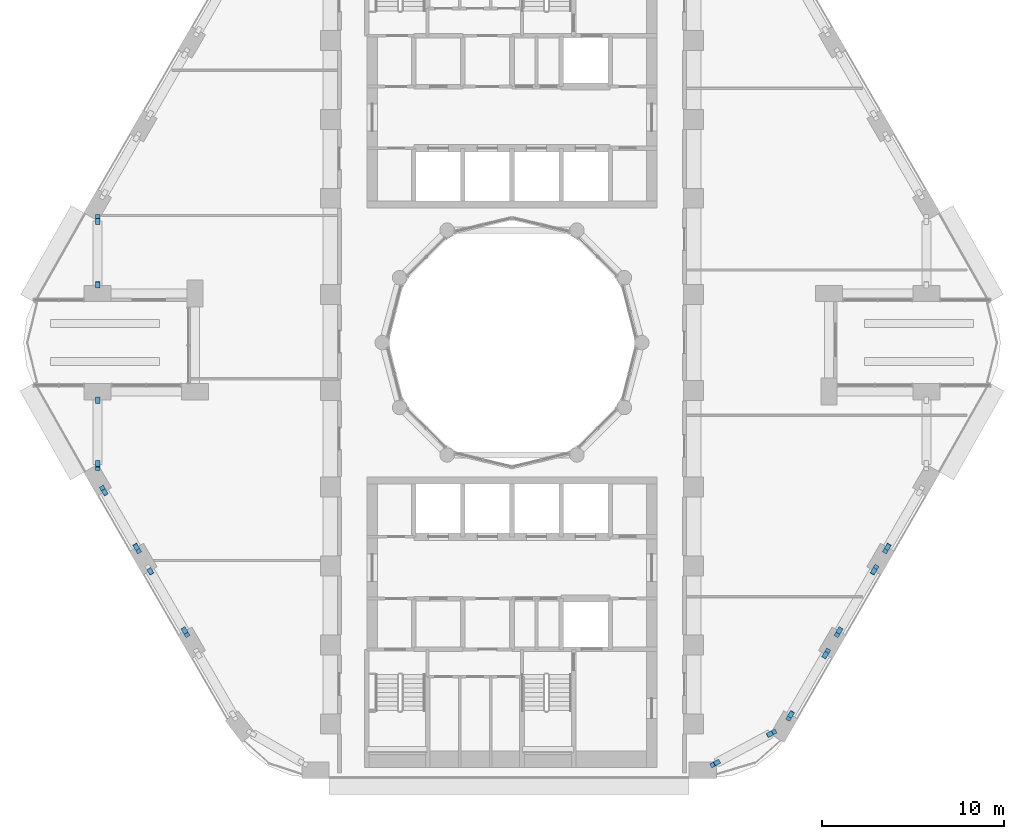
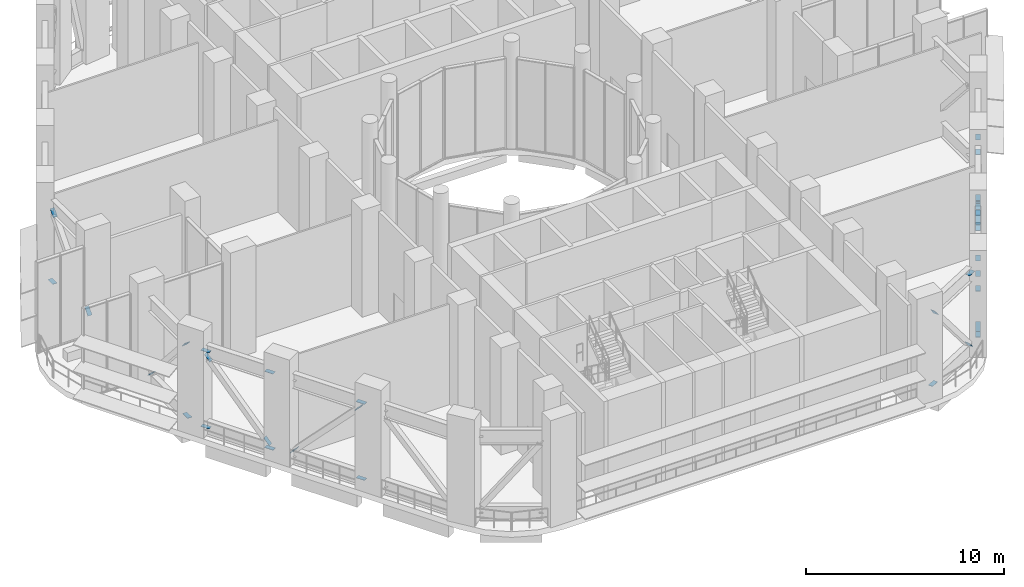
# One storey, part 13 of 20: 35 discrete accessories.
"""IFC4 building model written with IfcOpenShell, lengths in metres."""

from ifc_helpers import new_model, si_unit, direction, frame, origin, origin_2d, place, context, subcontext, project, spatial, rectangle, extrude, material, material_profile, profile_set, type_object, element, save


model = new_model("IFC4")

# Units and contexts
model_context = context("Model", 3, precision=1e-05, world=origin(), true_north=direction((0.0, 1.0)))
body_context = subcontext(model_context, "Body", "Model", "MODEL_VIEW")
ifc_project = project(units=[si_unit("LENGTHUNIT", "METRE"), si_unit("AREAUNIT", "SQUARE_METRE"), si_unit("VOLUMEUNIT", "CUBIC_METRE"), si_unit("PLANEANGLEUNIT", "RADIAN"), si_unit("MASSUNIT", "GRAM", prefix="KILO")], contexts=[model_context])

# Site, building, storey
site_placement = place(None, origin())
site = spatial("IfcSite", under=ifc_project, at=site_placement, CompositionType="ELEMENT")
building_placement = place(site_placement, origin())
building = spatial("IfcBuilding", under=site, at=building_placement, Name="Nakaniwa Court", CompositionType="ELEMENT")
storey_placement = place(building_placement, frame((0.0, 0.0, 71.10009765625)))
storey = spatial("IfcBuildingStorey", under=building, at=storey_placement, Name="S1", CompositionType="ELEMENT", Elevation=71.10009765625)

# Discrete accessories
ifc_material = material(Name="Steel Grade 350", Category="steel")
ifc_material_profile = material_profile(ifc_material, rectangle(XDim=0.25, YDim=0.02001953125, at=origin_2d()), Name="Truss end gusset plate 250x20")
ifc_profile_set = profile_set([ifc_material_profile], Name="Steel Grade 350")
discrete_accessory_type = type_object("IfcDiscreteAccessoryType", Name="Truss end gusset plate 250x20", PredefinedType="BRACKET", material=ifc_profile_set)
discrete_accessory_1_placement = place(storey_placement, frame((57.177001953125, 86.5537109375, 0.449951171875), z_axis=(0.0, 1.0, 0.0), x_axis=(-1.0, 0.0, 0.0)))
element("IfcDiscreteAccessory", 1, at=discrete_accessory_1_placement, inside=storey, type_object=discrete_accessory_type, Name="Gusset plate GU-117", PredefinedType="BRACKET", context=body_context, shape_type="SweptSolid", body=[
    extrude(rectangle(XDim=0.25, YDim=0.02001953125, at=origin_2d()), origin(), (0.0, 0.0, 1.0), 0.5),
])
discrete_accessory_2_placement = place(storey_placement, frame((57.177001953125, 86.50439453125, 4.57763671875), z_axis=(0.0, 0.662816244613, 0.748782095056), x_axis=(-1.0, 0.0, 0.0)))
element("IfcDiscreteAccessory", 2, at=discrete_accessory_2_placement, inside=storey, type_object=discrete_accessory_type, Name="Gusset plate GU-118", PredefinedType="BRACKET", context=body_context, shape_type="SweptSolid", body=[
    extrude(rectangle(XDim=0.25, YDim=0.02001953125, at=origin_2d()), origin(), (0.0, 0.0, 1.0), 0.499755859375),
])
for number, where, z_axis, x_axis, name in (
    (3, (57.177001953125, 83.349365234375, 1.01220703125), (0.0, -0.662573882203, -0.74899656249), (1.0, 0.0, 0.0), "Gusset plate GU-119"),
    (4, (57.177001953125, 73.4462890625, 0.449951171875), (0.0, -1.0, 0.0), (1.0, 0.0, 0.0), "Gusset plate GU-120"),
    (5, (57.177001953125, 76.650634765625, 1.01220703125), (0.0, 0.662573882203, -0.74899656249), (-1.0, 0.0, 0.0), "Gusset plate GU-121"),
):
    element("IfcDiscreteAccessory", number, at=place(storey_placement, frame(where, z_axis=z_axis, x_axis=x_axis)), inside=storey, type_object=discrete_accessory_type, Name=name, PredefinedType="BRACKET", context=body_context, shape_type="SweptSolid", body=[
        extrude(rectangle(XDim=0.25, YDim=0.02001953125, at=origin_2d()), origin(), (0.0, 0.0, 1.0), 0.5),
    ])
discrete_accessory_3_placement = place(storey_placement, frame((57.177001953125, 73.49560546875, 4.57763671875), z_axis=(0.0, -0.662816244613, 0.748782095056), x_axis=(1.0, 0.0, 0.0)))
element("IfcDiscreteAccessory", 6, at=discrete_accessory_3_placement, inside=storey, type_object=discrete_accessory_type, Name="Gusset plate GU-122", PredefinedType="BRACKET", context=body_context, shape_type="SweptSolid", body=[
    extrude(rectangle(XDim=0.25, YDim=0.02001953125, at=origin_2d()), origin(), (0.0, 0.0, 1.0), 0.499755859375),
])
for number, where, z_axis, x_axis, name in (
    (7, (57.627197265625, 71.65087890625, 0.449951171875), (-0.499919672301, 0.866071776036, 0.0), (-0.866071776036, -0.499919672301, 0.0), "Gusset plate GU-123"),
    (8, (59.24169921875, 68.854736328125, 0.449951171875), (0.499919672301, -0.866071776036, 0.0), (0.866071776036, 0.499919672301, 0.0), "Gusset plate GU-124"),
    (9, (57.627197265625, 71.65087890625, 5.139892578125), (-0.499919672301, 0.866071776036, 0.0), (-0.866071776036, -0.499919672301, 0.0), "Gusset plate GU-125"),
    (10, (59.24169921875, 68.854736328125, 5.139892578125), (0.499919672301, -0.866071776036, 0.0), (0.866071776036, 0.499919672301, 0.0), "Gusset plate GU-126"),
):
    element("IfcDiscreteAccessory", number, at=place(storey_placement, frame(where, z_axis=z_axis, x_axis=x_axis)), inside=storey, type_object=discrete_accessory_type, Name=name, PredefinedType="BRACKET", context=body_context, shape_type="SweptSolid", body=[
        extrude(rectangle(XDim=0.25, YDim=0.02001953125, at=origin_2d()), origin(), (0.0, 0.0, 1.0), 0.5),
    ])
for number, where, z_axis, x_axis, name in (
    (11, (57.651611328125, 71.6083984375, 4.5771484375), (-0.32998239271, 0.571611511632, 0.751246897013), (-0.866050114754, -0.499957196903, 0.0), "Gusset plate GU-127"),
    (12, (59.217041015625, 68.897216796875, 1.0126953125), (0.32998239271, -0.571611511632, -0.751246897013), (0.866050114754, 0.499957196903, 0.0), "Gusset plate GU-128"),
):
    element("IfcDiscreteAccessory", number, at=place(storey_placement, frame(where, z_axis=z_axis, x_axis=x_axis)), inside=storey, type_object=discrete_accessory_type, Name=name, PredefinedType="BRACKET", context=body_context, shape_type="SweptSolid", body=[
        extrude(rectangle(XDim=0.25, YDim=0.02001953125, at=origin_2d()), origin(), (0.0, 0.0, 1.0), 0.500244140625),
    ])
for number, where, z_axis, x_axis, name in (
    (13, (61.904541015625, 64.2421875, 0.449951171875), (0.500131122175, -0.865949687125, 0.0), (0.865949687125, 0.500131122175, 0.0), "Gusset plate GU-130"),
    (14, (61.904541015625, 64.2421875, 5.139892578125), (0.500131122175, -0.865949687125, 0.0), (0.865949687125, 0.500131122175, 0.0), "Gusset plate GU-132"),
):
    element("IfcDiscreteAccessory", number, at=place(storey_placement, frame(where, z_axis=z_axis, x_axis=x_axis)), inside=storey, type_object=discrete_accessory_type, Name=name, PredefinedType="BRACKET", context=body_context, shape_type="SweptSolid", body=[
        extrude(rectangle(XDim=0.25, YDim=0.02001953125, at=origin_2d()), origin(), (0.0, 0.0, 1.0), 0.499755859375),
    ])
for number, where, z_axis, x_axis, name in (
    (15, (60.16845703125, 67.24951171875, 1.00830078125), (-0.345786195145, 0.598288261374, -0.722829899457), (-0.865797030805, -0.500395345151, 0.0), "Gusset plate GU-133"),
    (16, (61.877685546875, 64.288818359375, 4.58154296875), (0.345685158394, -0.598601700835, 0.722618692689), (0.865973841288, 0.500089298231, 0.0), "Gusset plate GU-134"),
    (17, (91.389404296875, 56.923095703125, 0.449951171875), (-0.881472710006, -0.472234964308, 0.0), (0.472234964308, -0.881472710006, 0.0), "Gusset plate GU-146"),
):
    element("IfcDiscreteAccessory", number, at=place(storey_placement, frame(where, z_axis=z_axis, x_axis=x_axis)), inside=storey, type_object=discrete_accessory_type, Name=name, PredefinedType="BRACKET", context=body_context, shape_type="SweptSolid", body=[
        extrude(rectangle(XDim=0.25, YDim=0.02001953125, at=origin_2d()), origin(), (0.0, 0.0, 1.0), 0.5),
    ])
discrete_accessory_4_placement = place(storey_placement, frame((94.09765625, 58.3759765625, 5.139892578125), z_axis=(0.881160268064, 0.472817704815, 0.0), x_axis=(-0.472817704815, 0.881160268064, 0.0)))
element("IfcDiscreteAccessory", 18, at=discrete_accessory_4_placement, inside=storey, type_object=discrete_accessory_type, Name="Gusset plate GU-147", PredefinedType="BRACKET", context=body_context, shape_type="SweptSolid", body=[
    extrude(rectangle(XDim=0.25, YDim=0.02001953125, at=origin_2d()), origin(), (0.0, 0.0, 1.0), 0.499755859375),
])
discrete_accessory_5_placement = place(storey_placement, frame((91.43017578125, 56.945068359375, 4.574951171875), z_axis=(-0.565866636636, -0.303683389118, 0.766532027195), x_axis=(0.472875293156, -0.881129364579, 0.0)))
element("IfcDiscreteAccessory", 19, at=discrete_accessory_5_placement, inside=storey, type_object=discrete_accessory_type, Name="Gusset plate GU-148", PredefinedType="BRACKET", context=body_context, shape_type="SweptSolid", body=[
    extrude(rectangle(XDim=0.25, YDim=0.02001953125, at=origin_2d()), origin(), (0.0, 0.0, 1.0), 0.5),
])
for number, where, z_axis, x_axis, name in (
    (20, (94.056884765625, 58.35400390625, 1.014892578125), (0.565618447095, 0.30332388225, -0.766857480085), (-0.472601507994, 0.881276241959, 0.0), "Gusset plate GU-149"),
    (21, (95.4326171875, 59.6298828125, 0.449951171875), (-0.500131122175, -0.865949687125, 0.0), (0.865949687125, -0.500131122175, 0.0), "Gusset plate GU-150"),
    (22, (97.195556640625, 62.68359375, 0.449951171875), (0.500131122175, 0.865949687125, 0.0), (-0.865949687125, 0.500131122175, 0.0), "Gusset plate GU-151"),
    (23, (95.4326171875, 59.6298828125, 5.139892578125), (-0.500131122175, -0.865949687125, 0.0), (0.865949687125, -0.500131122175, 0.0), "Gusset plate GU-152"),
    (24, (97.195556640625, 62.68359375, 5.139892578125), (0.500131122175, 0.865949687125, 0.0), (-0.865949687125, 0.500131122175, 0.0), "Gusset plate GU-153"),
):
    element("IfcDiscreteAccessory", number, at=place(storey_placement, frame(where, z_axis=z_axis, x_axis=x_axis)), inside=storey, type_object=discrete_accessory_type, Name=name, PredefinedType="BRACKET", context=body_context, shape_type="SweptSolid", body=[
        extrude(rectangle(XDim=0.25, YDim=0.02001953125, at=origin_2d()), origin(), (0.0, 0.0, 1.0), 0.499755859375),
    ])
for number, where, z_axis, x_axis, name in (
    (25, (95.459228515625, 59.676513671875, 1.00830078125), (-0.345255139411, -0.598702688711, -0.722740603011), (0.866279678162, -0.499559325009, 0.0), "Gusset plate GU-154"),
    (26, (97.168701171875, 62.636962890625, 4.58154296875), (0.345685158394, 0.598601700835, 0.722618692689), (-0.865973841288, 0.500089298231, 0.0), "Gusset plate GU-155"),
):
    element("IfcDiscreteAccessory", number, at=place(storey_placement, frame(where, z_axis=z_axis, x_axis=x_axis)), inside=storey, type_object=discrete_accessory_type, Name=name, PredefinedType="BRACKET", context=body_context, shape_type="SweptSolid", body=[
        extrude(rectangle(XDim=0.25, YDim=0.02001953125, at=origin_2d()), origin(), (0.0, 0.0, 1.0), 0.5),
    ])
discrete_accessory_6_placement = place(storey_placement, frame((98.095458984375, 64.2421875, 0.449951171875), z_axis=(-0.500131122175, -0.865949687125, 0.0), x_axis=(0.865949687125, -0.500131122175, 0.0)))
element("IfcDiscreteAccessory", 27, at=discrete_accessory_6_placement, inside=storey, type_object=discrete_accessory_type, Name="Gusset plate GU-156", PredefinedType="BRACKET", context=body_context, shape_type="SweptSolid", body=[
    extrude(rectangle(XDim=0.25, YDim=0.02001953125, at=origin_2d()), origin(), (0.0, 0.0, 1.0), 0.499755859375),
])
discrete_accessory_7_placement = place(storey_placement, frame((99.8583984375, 67.2958984375, 0.449951171875), z_axis=(0.499919672301, 0.866071776036, 0.0), x_axis=(-0.866071776036, 0.499919672301, 0.0)))
element("IfcDiscreteAccessory", 28, at=discrete_accessory_7_placement, inside=storey, type_object=discrete_accessory_type, Name="Gusset plate GU-157", PredefinedType="BRACKET", context=body_context, shape_type="SweptSolid", body=[
    extrude(rectangle(XDim=0.25, YDim=0.02001953125, at=origin_2d()), origin(), (0.0, 0.0, 1.0), 0.5),
])
discrete_accessory_8_placement = place(storey_placement, frame((98.095458984375, 64.2421875, 5.139892578125), z_axis=(-0.500131122175, -0.865949687125, 0.0), x_axis=(0.865949687125, -0.500131122175, 0.0)))
element("IfcDiscreteAccessory", 29, at=discrete_accessory_8_placement, inside=storey, type_object=discrete_accessory_type, Name="Gusset plate GU-158", PredefinedType="BRACKET", context=body_context, shape_type="SweptSolid", body=[
    extrude(rectangle(XDim=0.25, YDim=0.02001953125, at=origin_2d()), origin(), (0.0, 0.0, 1.0), 0.499755859375),
])
for number, where, z_axis, x_axis, name in (
    (30, (99.8583984375, 67.2958984375, 5.139892578125), (0.499919672301, 0.866071776036, 0.0), (-0.866071776036, 0.499919672301, 0.0), "Gusset plate GU-159"),
    (31, (98.122314453125, 64.288818359375, 4.58154296875), (-0.345685158394, -0.598601700835, 0.722618692689), (0.865973841288, -0.500089298231, 0.0), "Gusset plate GU-160"),
    (32, (99.83154296875, 67.24951171875, 1.00830078125), (0.345786195145, 0.598288261374, -0.722829899457), (-0.865797030805, 0.500395345151, 0.0), "Gusset plate GU-161"),
    (33, (100.75830078125, 68.854736328125, 0.449951171875), (-0.499919672301, -0.866071776036, 0.0), (0.866071776036, -0.499919672301, 0.0), "Gusset plate GU-162"),
    (34, (100.75830078125, 68.854736328125, 5.139892578125), (-0.499919672301, -0.866071776036, 0.0), (0.866071776036, -0.499919672301, 0.0), "Gusset plate GU-164"),
):
    element("IfcDiscreteAccessory", number, at=place(storey_placement, frame(where, z_axis=z_axis, x_axis=x_axis)), inside=storey, type_object=discrete_accessory_type, Name=name, PredefinedType="BRACKET", context=body_context, shape_type="SweptSolid", body=[
        extrude(rectangle(XDim=0.25, YDim=0.02001953125, at=origin_2d()), origin(), (0.0, 0.0, 1.0), 0.5),
    ])
discrete_accessory_9_placement = place(storey_placement, frame((100.782958984375, 68.897216796875, 1.0126953125), z_axis=(-0.32998239271, -0.571611511632, -0.751246897013), x_axis=(0.866050114754, -0.499957196903, 0.0)))
element("IfcDiscreteAccessory", 35, at=discrete_accessory_9_placement, inside=storey, type_object=discrete_accessory_type, Name="Gusset plate GU-166", PredefinedType="BRACKET", context=body_context, shape_type="SweptSolid", body=[
    extrude(rectangle(XDim=0.25, YDim=0.02001953125, at=origin_2d()), origin(), (0.0, 0.0, 1.0), 0.500244140625),
])

save(model, "model.ifc")
